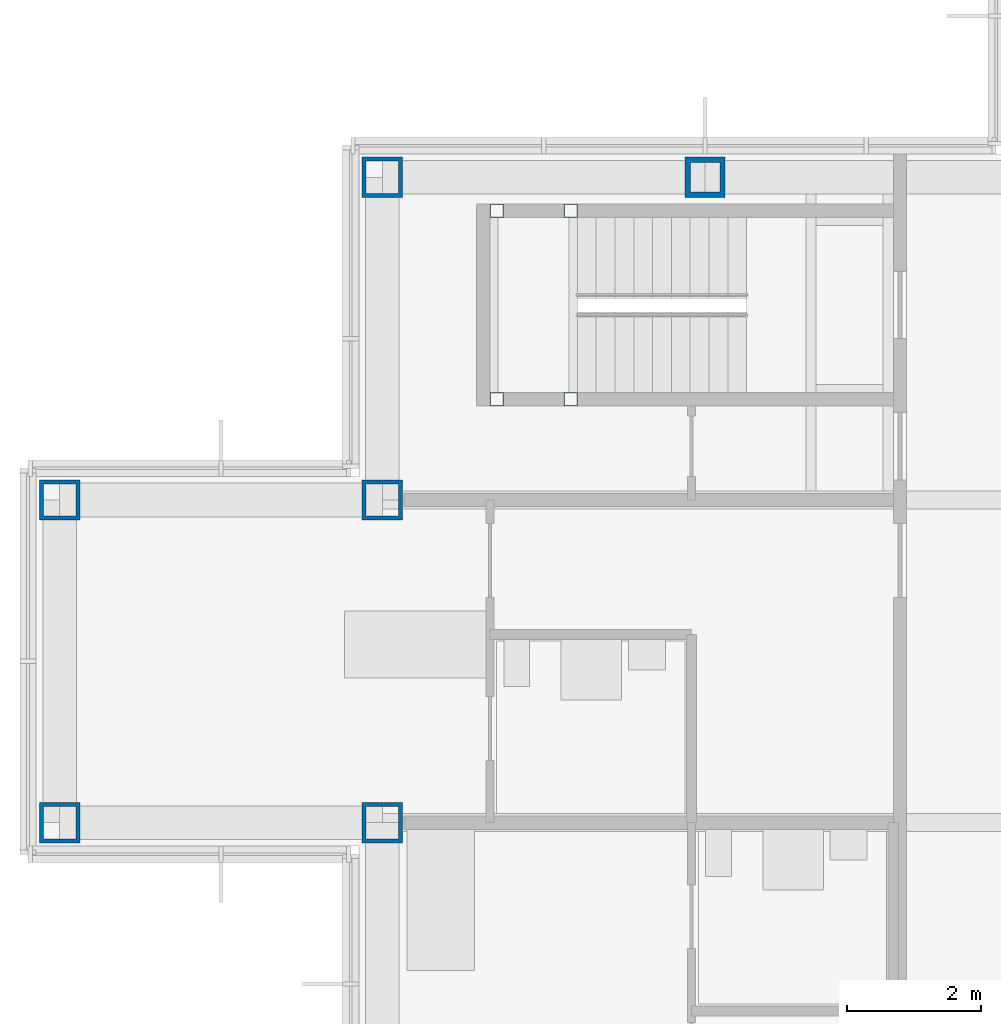
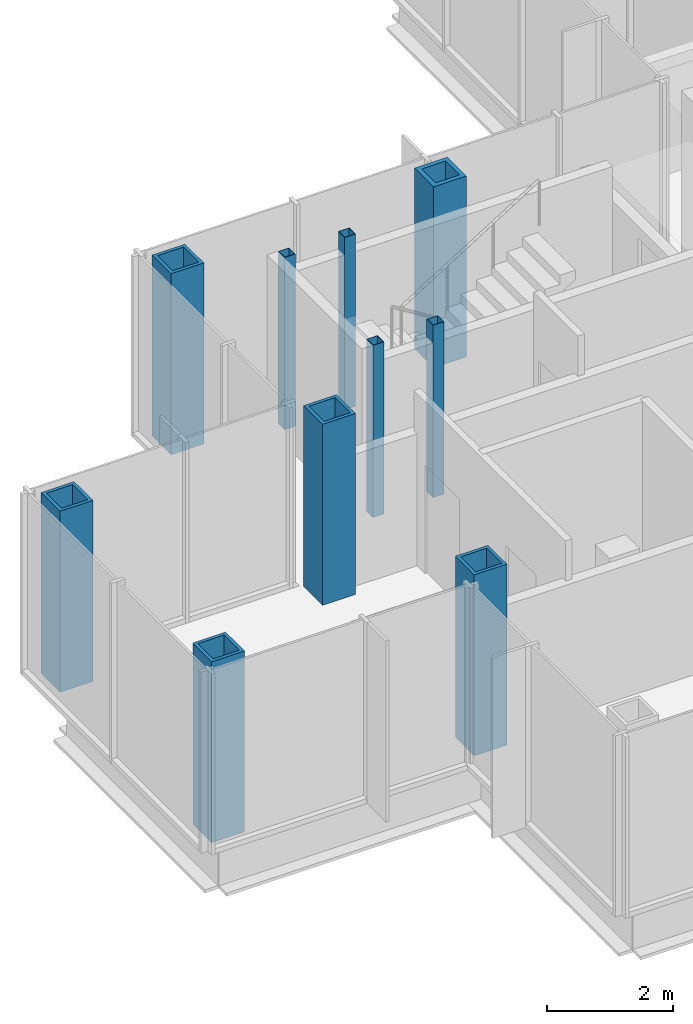
# One storey, part 3 of 17: 10 columns.
"""IFC4 building model written with IfcOpenShell, lengths in metres."""

import ifcopenshell
import ifcopenshell.guid

model = None  # the IFC model being written
_history = None  # IfcOwnerHistory: only IFC2X3 demands one
_inside = {}  # id of a spatial element -> (the spatial element, [elements in it])
_under = {}  # id of a project, library or spatial element -> (it, [spatial elements below it])
_declared = {}  # id of a project -> (the project, [libraries it declares])
_typed = {}  # id of a type object -> (the type object, [elements of that type])
_made_of = {}  # id of a material, layer set ... -> (it, [elements and type objects made of it])


def new_model(schema):
    """Start an empty IFC model of exactly this schema.

    Asked for "IFC4X3", IfcOpenShell would pick the latest addendum, in which some entities
    have other attributes; the version numbers below select the first issue.
    IFC2X3 requires an IfcOwnerHistory on every rooted entity: one is made here for all.
    """
    global model, _history
    if schema == "IFC4X3":
        model = ifcopenshell.file(schema_version=(4, 3, 0, 0))
    else:
        model = ifcopenshell.file(schema=schema)
    _inside.clear()
    _under.clear()
    _declared.clear()
    _typed.clear()
    _made_of.clear()
    _history = None
    if model.schema == "IFC2X3":
        org = make("IfcOrganization", Name="unknown")
        user = make(
            "IfcPersonAndOrganization",
            ThePerson=make("IfcPerson", FamilyName="unknown"),
            TheOrganization=org,
        )
        app = make(
            "IfcApplication",
            ApplicationDeveloper=org,
            Version="unknown",
            ApplicationFullName="unknown",
            ApplicationIdentifier="unknown",
        )
        _history = make(
            "IfcOwnerHistory",
            OwningUser=user,
            OwningApplication=app,
            ChangeAction="ADDED",
            CreationDate=0,
        )
    return model


def make(cls, **values):
    """One entity of the class cls with the attributes given. An attribute that is None is left unset."""
    return model.create_entity(
        cls, **{name: value for name, value in values.items() if value is not None}
    )


def rooted(cls, **values):
    """An entity with a GlobalId (a new one), such as an element, a storey or a relation."""
    return make(cls, GlobalId=ifcopenshell.guid.new(), OwnerHistory=_history, **values)


def si_unit(unit_type, name, prefix=None):
    """IfcSIUnit, for example si_unit("LENGTHUNIT", "METRE", prefix="MILLI")."""
    return make("IfcSIUnit", UnitType=unit_type, Prefix=prefix, Name=name)


def assignment(units):
    """IfcUnitAssignment: the units of a project."""
    return None if units is None else make("IfcUnitAssignment", Units=units)


def point(xyz):
    """IfcCartesianPoint."""
    return None if xyz is None else make("IfcCartesianPoint", Coordinates=xyz)


def direction(xyz):
    """IfcDirection."""
    return None if xyz is None else make("IfcDirection", DirectionRatios=xyz)


def frame(location, z_axis=None, x_axis=None):
    """IfcAxis2Placement3D, a coordinate frame: its origin and axes. An axis left out is left unset."""
    return make(
        "IfcAxis2Placement3D",
        Location=point(location),
        Axis=direction(z_axis),
        RefDirection=direction(x_axis),
    )


def frame_2d(location, x_axis=None):
    """IfcAxis2Placement2D, a coordinate frame in the plane: its origin and x axis."""
    return make(
        "IfcAxis2Placement2D", Location=point(location), RefDirection=direction(x_axis)
    )


def origin():
    """The frame at (0, 0, 0) with its axes left unset."""
    return frame((0.0, 0.0, 0.0))


def origin_2d():
    """The frame at (0, 0) in the plane with its x axis left unset."""
    return frame_2d((0.0, 0.0))


def place(relative_to, where):
    """IfcLocalPlacement: puts the frame where relative to a parent placement (None: the world)."""
    return make(
        "IfcLocalPlacement", PlacementRelTo=relative_to, RelativePlacement=where
    )


def context(
    kind, dimensions, precision=None, world=None, true_north=None, identifier=None
):
    """IfcGeometricRepresentationContext, for example the 3D "Model" context."""
    return make(
        "IfcGeometricRepresentationContext",
        ContextIdentifier=identifier,
        ContextType=kind,
        CoordinateSpaceDimension=dimensions,
        Precision=precision,
        WorldCoordinateSystem=world,
        TrueNorth=true_north,
    )


def subcontext(parent, identifier, kind, view, scale=None):
    """IfcGeometricRepresentationSubContext, for example "Body" below "Model"."""
    return make(
        "IfcGeometricRepresentationSubContext",
        ContextIdentifier=identifier,
        ContextType=kind,
        ParentContext=parent,
        TargetScale=scale,
        TargetView=view,
    )


def project(units=None, contexts=None):
    """IfcProject with its units and contexts."""
    return rooted(
        "IfcProject",
        Name="project",
        RepresentationContexts=contexts,
        UnitsInContext=assignment(units),
    )


def spatial(cls, under=None, at=None, **own):
    """A site, building, storey or space (cls), placed at a placement, below another one or the project."""
    s = rooted(cls, ObjectPlacement=at, **own)
    if under is not None:
        _under.setdefault(under.id(), (under, []))[1].append(s)
    return s


def profile(cls, at=None, kind="AREA", **sizes):
    """A parametric profile (cls). Its sizes go by their IFC names, for example OverallWidth=200.0."""
    return make(cls, ProfileType=kind, Position=at, **sizes)


def hollow_rectangle(**sizes):
    """IfcRectangleHollowProfileDef."""
    return profile("IfcRectangleHollowProfileDef", **sizes)


def extrude(swept, where, along, depth):
    """IfcExtrudedAreaSolid: the profile swept, set in the frame where, extruded along a direction by depth."""
    return make(
        "IfcExtrudedAreaSolid",
        SweptArea=swept,
        Position=where,
        ExtrudedDirection=direction(along),
        Depth=depth,
    )


def shape(context_of_items, identifier, shape_type, items):
    """IfcShapeRepresentation: the items that make up one representation, for example the "Body"."""
    return make(
        "IfcShapeRepresentation",
        ContextOfItems=context_of_items,
        RepresentationIdentifier=identifier,
        RepresentationType=shape_type,
        Items=items,
    )


def material(Name=None, Category=None):
    """IfcMaterial."""
    return make("IfcMaterial", Name=Name, Category=Category)


def material_profile(
    of_material, cross_section, Name=None, Category=None, Priority=None
):
    """IfcMaterialProfile: a cross section and its material."""
    return make(
        "IfcMaterialProfile",
        Name=Name,
        Material=of_material,
        Profile=cross_section,
        Priority=Priority,
        Category=Category,
    )


def profile_set(profiles, Name=None, composite=None):
    """IfcMaterialProfileSet."""
    return make(
        "IfcMaterialProfileSet",
        Name=Name,
        MaterialProfiles=profiles,
        CompositeProfile=composite,
    )


def made_of(thing, what):
    """Note that an element or type object is made of a material, layer set ...; save() writes the relation."""
    if what is not None:
        _made_of.setdefault(what.id(), (what, []))[1].append(thing)
    return thing


def type_object(cls, material=None, **own):
    """A type object (cls), such as IfcWallType, which elements share."""
    return made_of(rooted(cls, **own), material)


def element(
    cls,
    number,
    at=None,
    inside=None,
    cuts=None,
    type_object=None,
    material=None,
    context=None,
    identifier="Body",
    shape_type=None,
    held_by="IfcProductDefinitionShape",
    body=None,
    shapes=None,
    **own,
):
    """One element of the class cls, such as IfcWall. Its Tag is "e" and its number.

    at: its placement. inside: the storey or other place that contains it. cuts: it is an
    opening in that element (IfcRelVoidsElement). A single representation is given by context,
    identifier, shape_type and body (its items); several are given by shapes. held_by: the class
    of the entity that holds the representations. save() writes the other relations.
    """
    e = rooted(cls, Tag="e%d" % number, ObjectPlacement=at, **own)
    if body is not None:
        shapes = [shape(context, identifier, shape_type, body)]
    if shapes is not None:
        e.Representation = make(held_by, Representations=shapes)
    if inside is not None:
        _inside.setdefault(inside.id(), (inside, []))[1].append(e)
    if cuts is not None:
        rooted(
            "IfcRelVoidsElement", RelatingBuildingElement=cuts, RelatedOpeningElement=e
        )
    if type_object is not None:
        _typed.setdefault(type_object.id(), (type_object, []))[1].append(e)
    return made_of(e, material)


def aggregate(whole, parts):
    """IfcRelAggregates: a whole, such as a stair, and the parts it consists of."""
    return rooted("IfcRelAggregates", RelatingObject=whole, RelatedObjects=parts)


def save(model, path):
    """Write the relations noted so far, then the file.

    IfcRelAggregates (storeys below a building ...), IfcRelContainedInSpatialStructure (elements
    in a storey), IfcRelDefinesByType, IfcRelAssociatesMaterial and IfcRelDeclares: one each for
    every whole, place, type object, material and project.
    """
    for whole, parts in _under.values():
        aggregate(whole, parts)
    for where, things in _inside.values():
        rooted(
            "IfcRelContainedInSpatialStructure",
            RelatedElements=things,
            RelatingStructure=where,
        )
    for kind, things in _typed.values():
        rooted("IfcRelDefinesByType", RelatedObjects=things, RelatingType=kind)
    for what, things in _made_of.values():
        rooted("IfcRelAssociatesMaterial", RelatedObjects=things, RelatingMaterial=what)
    for by, libraries in _declared.values():
        rooted("IfcRelDeclares", RelatingContext=by, RelatedDefinitions=libraries)
    model.write(path)


model = new_model("IFC4")

# Units and contexts
model_context = context("Model", 3, precision=1e-05, world=origin(), true_north=direction((0.0, 1.0)))
body_context = subcontext(model_context, "Body", "Model", "MODEL_VIEW")
ifc_project = project(units=[si_unit("LENGTHUNIT", "METRE"), si_unit("AREAUNIT", "SQUARE_METRE"), si_unit("VOLUMEUNIT", "CUBIC_METRE"), si_unit("PLANEANGLEUNIT", "RADIAN"), si_unit("MASSUNIT", "GRAM", prefix="KILO")], contexts=[model_context])

# Site, building, storey
site_placement = place(None, origin())
site = spatial("IfcSite", under=ifc_project, at=site_placement, CompositionType="ELEMENT")
building_placement = place(site_placement, origin())
building = spatial("IfcBuilding", under=site, at=building_placement, Name="Kvirike Care Tower", CompositionType="ELEMENT")
storey_placement = place(building_placement, frame((0.0, 0.0, 151.5)))
storey = spatial("IfcBuildingStorey", under=building, at=storey_placement, Name="L41", CompositionType="ELEMENT", Elevation=151.5)

# Columns
ifc_material_1 = material(Name="Steel S460", Category="steel")
ifc_material_profile_1 = material_profile(ifc_material_1, hollow_rectangle(XDim=0.60009765625, YDim=0.60009765625, WallThickness=0.06005859375, at=origin_2d()), Name="BX 600x600x60")
ifc_profile_set_1 = profile_set([ifc_material_profile_1], Name="Steel S460")
column_type_1 = type_object("IfcColumnType", Name="COLUMN BX 600x600x60", PredefinedType="COLUMN", material=ifc_profile_set_1)
for number, where, z_axis, x_axis, name in (
    (1, (0.0, 33.60009765625, 0.0), (0.0, 0.0, 1.0), (0.0, 1.0, 0.0), "Column H3 L41"),
    (2, (0.0, 38.39990234375, 0.0), (0.0, 0.0, 1.0), (0.0, 1.0, 0.0), "Column J3 L41"),
    (3, (4.800048828125, 33.60009765625, 0.0), (0.0, 0.0, 1.0), (0.0, 1.0, 0.0), "Column H4 L41"),
    (4, (4.800048828125, 38.39990234375, 0.0), (0.0, 0.0, 1.0), (0.0, 1.0, 0.0), "Column J4 L41"),
    (5, (4.800048828125, 43.199951171875, 0.0), (0.0, 0.0, 1.0), (0.0, 1.0, 0.0), "Column K4 L41"),
):
    element("IfcColumn", number, at=place(storey_placement, frame(where, z_axis=z_axis, x_axis=x_axis)), inside=storey, type_object=column_type_1, Name=name, PredefinedType="COLUMN", context=body_context, shape_type="SweptSolid", body=[
        extrude(hollow_rectangle(XDim=0.60009765625, YDim=0.60009765625, WallThickness=0.06005859375, at=origin_2d()), origin(), (0.0, 0.0, 1.0), 3.5),
    ])
ifc_material_2 = material(Name="Steel S460", Category="steel")
ifc_material_profile_2 = material_profile(ifc_material_2, hollow_rectangle(XDim=0.60009765625, YDim=0.60009765625, WallThickness=0.080078125, at=origin_2d()), Name="BX 600x600x80")
ifc_profile_set_2 = profile_set([ifc_material_profile_2], Name="Steel S460")
column_type_2 = type_object("IfcColumnType", Name="COLUMN BX 600x600x80", PredefinedType="COLUMN", material=ifc_profile_set_2)
column_placement = place(storey_placement, frame((9.60009765625, 43.199951171875, 0.0), z_axis=(0.0, 0.0, 1.0), x_axis=(0.0, 1.0, 0.0)))
element("IfcColumn", 6, at=column_placement, inside=storey, type_object=column_type_2, Name="Column K5 L41", PredefinedType="COLUMN", context=body_context, shape_type="SweptSolid", body=[
    extrude(hollow_rectangle(XDim=0.60009765625, YDim=0.60009765625, WallThickness=0.080078125, at=origin_2d()), origin(), (0.0, 0.0, 1.0), 3.5),
])
ifc_material_3 = material(Name="Steel S460", Category="steel")
ifc_material_profile_3 = material_profile(ifc_material_3, hollow_rectangle(XDim=0.199951171875, YDim=0.199951171875, WallThickness=0.008056640625, at=origin_2d()), Name="SHS 200x200x8")
ifc_profile_set_3 = profile_set([ifc_material_profile_3], Name="Steel S460")
column_type_3 = type_object("IfcColumnType", Name="STAIR POST SHS 200x200x8", PredefinedType="COLUMN", material=ifc_profile_set_3)
for number, where, z_axis, x_axis, name in (
    (7, (6.5, 42.699951171875, 0.0), (0.0, 0.0, 1.0), (1.0, 0.0, 0.0), "Stair 1 post 1 L41"),
    (8, (6.5, 39.89990234375, 0.0), (0.0, 0.0, 1.0), (1.0, 0.0, 0.0), "Stair 1 post 2 L41"),
    (9, (7.60009765625, 42.699951171875, 0.0), (0.0, 0.0, 1.0), (1.0, 0.0, 0.0), "Stair 1 post 3 L41"),
    (10, (7.60009765625, 39.89990234375, 0.0), (0.0, 0.0, 1.0), (1.0, 0.0, 0.0), "Stair 1 post 4 L41"),
):
    element("IfcColumn", number, at=place(storey_placement, frame(where, z_axis=z_axis, x_axis=x_axis)), inside=storey, type_object=column_type_3, Name=name, PredefinedType="COLUMN", context=body_context, shape_type="SweptSolid", body=[
        extrude(hollow_rectangle(XDim=0.199951171875, YDim=0.199951171875, WallThickness=0.008056640625, at=origin_2d()), origin(), (0.0, 0.0, 1.0), 3.330078125),
    ])

save(model, "model.ifc")
